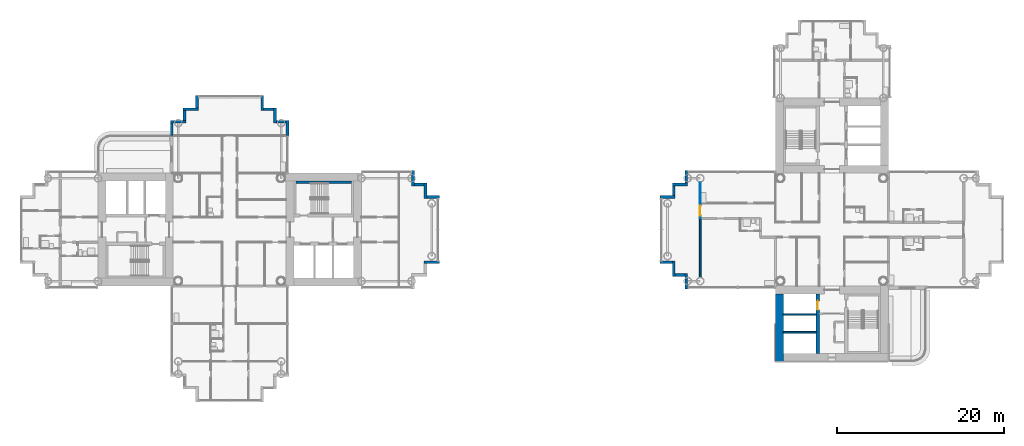
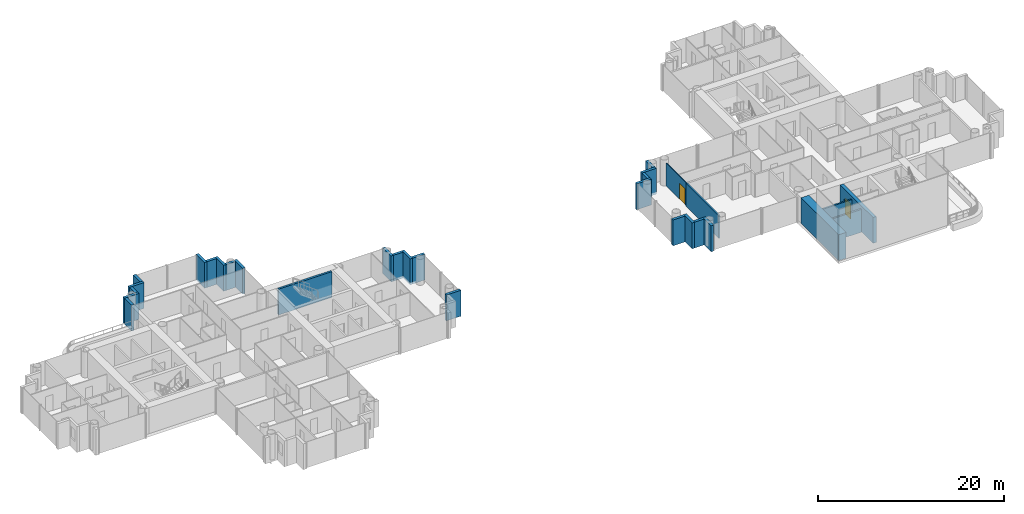
# One storey, part 12 of 22: 30 walls, 2 doors, 2 openings.
"""IFC4 building model written with IfcOpenShell, lengths in metres."""

import ifcopenshell
import ifcopenshell.guid

model = None  # the IFC model being written
_history = None  # IfcOwnerHistory: only IFC2X3 demands one
_inside = {}  # id of a spatial element -> (the spatial element, [elements in it])
_under = {}  # id of a project, library or spatial element -> (it, [spatial elements below it])
_declared = {}  # id of a project -> (the project, [libraries it declares])
_typed = {}  # id of a type object -> (the type object, [elements of that type])
_made_of = {}  # id of a material, layer set ... -> (it, [elements and type objects made of it])


def new_model(schema):
    """Start an empty IFC model of exactly this schema.

    Asked for "IFC4X3", IfcOpenShell would pick the latest addendum, in which some entities
    have other attributes; the version numbers below select the first issue.
    IFC2X3 requires an IfcOwnerHistory on every rooted entity: one is made here for all.
    """
    global model, _history
    if schema == "IFC4X3":
        model = ifcopenshell.file(schema_version=(4, 3, 0, 0))
    else:
        model = ifcopenshell.file(schema=schema)
    _inside.clear()
    _under.clear()
    _declared.clear()
    _typed.clear()
    _made_of.clear()
    _history = None
    if model.schema == "IFC2X3":
        org = make("IfcOrganization", Name="unknown")
        user = make(
            "IfcPersonAndOrganization",
            ThePerson=make("IfcPerson", FamilyName="unknown"),
            TheOrganization=org,
        )
        app = make(
            "IfcApplication",
            ApplicationDeveloper=org,
            Version="unknown",
            ApplicationFullName="unknown",
            ApplicationIdentifier="unknown",
        )
        _history = make(
            "IfcOwnerHistory",
            OwningUser=user,
            OwningApplication=app,
            ChangeAction="ADDED",
            CreationDate=0,
        )
    return model


def make(cls, **values):
    """One entity of the class cls with the attributes given. An attribute that is None is left unset."""
    return model.create_entity(
        cls, **{name: value for name, value in values.items() if value is not None}
    )


def rooted(cls, **values):
    """An entity with a GlobalId (a new one), such as an element, a storey or a relation."""
    return make(cls, GlobalId=ifcopenshell.guid.new(), OwnerHistory=_history, **values)


def si_unit(unit_type, name, prefix=None):
    """IfcSIUnit, for example si_unit("LENGTHUNIT", "METRE", prefix="MILLI")."""
    return make("IfcSIUnit", UnitType=unit_type, Prefix=prefix, Name=name)


def assignment(units):
    """IfcUnitAssignment: the units of a project."""
    return None if units is None else make("IfcUnitAssignment", Units=units)


def point(xyz):
    """IfcCartesianPoint."""
    return None if xyz is None else make("IfcCartesianPoint", Coordinates=xyz)


def direction(xyz):
    """IfcDirection."""
    return None if xyz is None else make("IfcDirection", DirectionRatios=xyz)


def frame(location, z_axis=None, x_axis=None):
    """IfcAxis2Placement3D, a coordinate frame: its origin and axes. An axis left out is left unset."""
    return make(
        "IfcAxis2Placement3D",
        Location=point(location),
        Axis=direction(z_axis),
        RefDirection=direction(x_axis),
    )


def frame_2d(location, x_axis=None):
    """IfcAxis2Placement2D, a coordinate frame in the plane: its origin and x axis."""
    return make(
        "IfcAxis2Placement2D", Location=point(location), RefDirection=direction(x_axis)
    )


def origin():
    """The frame at (0, 0, 0) with its axes left unset."""
    return frame((0.0, 0.0, 0.0))


def place(relative_to, where):
    """IfcLocalPlacement: puts the frame where relative to a parent placement (None: the world)."""
    return make(
        "IfcLocalPlacement", PlacementRelTo=relative_to, RelativePlacement=where
    )


def context(
    kind, dimensions, precision=None, world=None, true_north=None, identifier=None
):
    """IfcGeometricRepresentationContext, for example the 3D "Model" context."""
    return make(
        "IfcGeometricRepresentationContext",
        ContextIdentifier=identifier,
        ContextType=kind,
        CoordinateSpaceDimension=dimensions,
        Precision=precision,
        WorldCoordinateSystem=world,
        TrueNorth=true_north,
    )


def subcontext(parent, identifier, kind, view, scale=None):
    """IfcGeometricRepresentationSubContext, for example "Body" below "Model"."""
    return make(
        "IfcGeometricRepresentationSubContext",
        ContextIdentifier=identifier,
        ContextType=kind,
        ParentContext=parent,
        TargetScale=scale,
        TargetView=view,
    )


def project(units=None, contexts=None):
    """IfcProject with its units and contexts."""
    return rooted(
        "IfcProject",
        Name="project",
        RepresentationContexts=contexts,
        UnitsInContext=assignment(units),
    )


def spatial(cls, under=None, at=None, **own):
    """A site, building, storey or space (cls), placed at a placement, below another one or the project."""
    s = rooted(cls, ObjectPlacement=at, **own)
    if under is not None:
        _under.setdefault(under.id(), (under, []))[1].append(s)
    return s


def profile(cls, at=None, kind="AREA", **sizes):
    """A parametric profile (cls). Its sizes go by their IFC names, for example OverallWidth=200.0."""
    return make(cls, ProfileType=kind, Position=at, **sizes)


def rectangle(**sizes):
    """IfcRectangleProfileDef."""
    return profile("IfcRectangleProfileDef", **sizes)


def extrude(swept, where, along, depth):
    """IfcExtrudedAreaSolid: the profile swept, set in the frame where, extruded along a direction by depth."""
    return make(
        "IfcExtrudedAreaSolid",
        SweptArea=swept,
        Position=where,
        ExtrudedDirection=direction(along),
        Depth=depth,
    )


def shape(context_of_items, identifier, shape_type, items):
    """IfcShapeRepresentation: the items that make up one representation, for example the "Body"."""
    return make(
        "IfcShapeRepresentation",
        ContextOfItems=context_of_items,
        RepresentationIdentifier=identifier,
        RepresentationType=shape_type,
        Items=items,
    )


def material(Name=None, Category=None):
    """IfcMaterial."""
    return make("IfcMaterial", Name=Name, Category=Category)


def layer(
    of_material, thickness, ventilated=None, Name=None, Category=None, Priority=None
):
    """IfcMaterialLayer: one layer of a wall or slab, of a material (None: an air gap)."""
    return make(
        "IfcMaterialLayer",
        Material=of_material,
        LayerThickness=thickness,
        IsVentilated=ventilated,
        Name=Name,
        Category=Category,
        Priority=Priority,
    )


def layer_set(layers, Name=None):
    """IfcMaterialLayerSet."""
    return make("IfcMaterialLayerSet", MaterialLayers=layers, LayerSetName=Name)


def made_of(thing, what):
    """Note that an element or type object is made of a material, layer set ...; save() writes the relation."""
    if what is not None:
        _made_of.setdefault(what.id(), (what, []))[1].append(thing)
    return thing


def type_object(cls, material=None, **own):
    """A type object (cls), such as IfcWallType, which elements share."""
    return made_of(rooted(cls, **own), material)


def element(
    cls,
    number,
    at=None,
    inside=None,
    cuts=None,
    type_object=None,
    material=None,
    context=None,
    identifier="Body",
    shape_type=None,
    held_by="IfcProductDefinitionShape",
    body=None,
    shapes=None,
    **own,
):
    """One element of the class cls, such as IfcWall. Its Tag is "e" and its number.

    at: its placement. inside: the storey or other place that contains it. cuts: it is an
    opening in that element (IfcRelVoidsElement). A single representation is given by context,
    identifier, shape_type and body (its items); several are given by shapes. held_by: the class
    of the entity that holds the representations. save() writes the other relations.
    """
    e = rooted(cls, Tag="e%d" % number, ObjectPlacement=at, **own)
    if body is not None:
        shapes = [shape(context, identifier, shape_type, body)]
    if shapes is not None:
        e.Representation = make(held_by, Representations=shapes)
    if inside is not None:
        _inside.setdefault(inside.id(), (inside, []))[1].append(e)
    if cuts is not None:
        rooted(
            "IfcRelVoidsElement", RelatingBuildingElement=cuts, RelatedOpeningElement=e
        )
    if type_object is not None:
        _typed.setdefault(type_object.id(), (type_object, []))[1].append(e)
    return made_of(e, material)


def fill(opening, filler):
    """IfcRelFillsElement: the door or window that sits in an opening."""
    return rooted(
        "IfcRelFillsElement",
        RelatingOpeningElement=opening,
        RelatedBuildingElement=filler,
    )


def aggregate(whole, parts):
    """IfcRelAggregates: a whole, such as a stair, and the parts it consists of."""
    return rooted("IfcRelAggregates", RelatingObject=whole, RelatedObjects=parts)


def save(model, path):
    """Write the relations noted so far, then the file.

    IfcRelAggregates (storeys below a building ...), IfcRelContainedInSpatialStructure (elements
    in a storey), IfcRelDefinesByType, IfcRelAssociatesMaterial and IfcRelDeclares: one each for
    every whole, place, type object, material and project.
    """
    for whole, parts in _under.values():
        aggregate(whole, parts)
    for where, things in _inside.values():
        rooted(
            "IfcRelContainedInSpatialStructure",
            RelatedElements=things,
            RelatingStructure=where,
        )
    for kind, things in _typed.values():
        rooted("IfcRelDefinesByType", RelatedObjects=things, RelatingType=kind)
    for what, things in _made_of.values():
        rooted("IfcRelAssociatesMaterial", RelatedObjects=things, RelatingMaterial=what)
    for by, libraries in _declared.values():
        rooted("IfcRelDeclares", RelatingContext=by, RelatedDefinitions=libraries)
    model.write(path)


model = new_model("IFC4")

# Units and contexts
model_context = context("Model", 3, precision=1e-05, world=origin(), true_north=direction((0.0, 1.0)))
body_context = subcontext(model_context, "Body", "Model", "MODEL_VIEW")
ifc_project = project(units=[si_unit("LENGTHUNIT", "METRE"), si_unit("AREAUNIT", "SQUARE_METRE"), si_unit("VOLUMEUNIT", "CUBIC_METRE"), si_unit("PLANEANGLEUNIT", "RADIAN"), si_unit("MASSUNIT", "GRAM", prefix="KILO")], contexts=[model_context])

# Site, building, storey
site_placement = place(None, origin())
site = spatial("IfcSite", under=ifc_project, at=site_placement, CompositionType="ELEMENT")
building_placement = place(site_placement, origin())
building = spatial("IfcBuilding", under=site, at=building_placement, Name="Ipe Terrace Towers", CompositionType="ELEMENT")
storey_placement = place(building_placement, frame((0.0, 0.0, 90.199951171875)))
storey = spatial("IfcBuildingStorey", under=building, at=storey_placement, Name="L24", CompositionType="ELEMENT", Elevation=90.199951171875)

# Walls
ifc_material_1 = material(Name="Concrete C40/50 with buff precast cladding", Category="concrete")
ifc_layer_1 = layer(ifc_material_1, 0.320068359375)
ifc_layer_set_1 = layer_set([ifc_layer_1], Name="BUFF CLADDING WALL 320")
wall_type_1 = type_object("IfcWallType", Name="BUFF CLADDING WALL 320", PredefinedType="STANDARD", material=ifc_layer_set_1)
wall_1_placement = place(storey_placement, frame((-12.75, -3.909912109375, -0.300048828125), z_axis=(0.0, 0.0, 1.0), x_axis=(1.0, 0.0, 0.0)))
element("IfcWall", 1, at=wall_1_placement, inside=storey, type_object=wall_type_1, Name="T1-W-L24-24a wall", PredefinedType="STANDARD", context=body_context, shape_type="SweptSolid", body=[
    extrude(rectangle(XDim=1.820068359375, YDim=0.320068359375, at=frame_2d((0.91015625, 0.0))), origin(), (0.0, 0.0, 1.0), 3.400146484375),
])
wall_2_placement = place(storey_placement, frame((-10.929931640625, 3.909912109375, -0.300048828125), z_axis=(0.0, 0.0, 1.0), x_axis=(-1.0, 0.0, 0.0)))
element("IfcWall", 2, at=wall_2_placement, inside=storey, type_object=wall_type_1, Name="T1-W-L24-26a wall", PredefinedType="STANDARD", context=body_context, shape_type="SweptSolid", body=[
    extrude(rectangle(XDim=1.5, YDim=0.320068359375, at=frame_2d((0.75, 0.0))), origin(), (0.0, 0.0, 1.0), 3.400146484375),
])
wall_3_placement = place(storey_placement, frame((-12.590087890625, 3.75, -0.300048828125), z_axis=(0.0, 0.0, 1.0), x_axis=(0.0, 1.0, 0.0)))
element("IfcWall", 3, at=wall_3_placement, inside=storey, type_object=wall_type_1, Name="T1-W-L24-27a wall", PredefinedType="STANDARD", context=body_context, shape_type="SweptSolid", body=[
    extrude(rectangle(XDim=1.820068359375, YDim=0.320068359375, at=frame_2d((0.91015625, 0.0))), origin(), (0.0, 0.0, 1.0), 3.400146484375),
])
wall_4_placement = place(storey_placement, frame((-12.75, 5.409912109375, -0.300048828125), z_axis=(0.0, 0.0, 1.0), x_axis=(-1.0, 0.0, 0.0)))
element("IfcWall", 4, at=wall_4_placement, inside=storey, type_object=wall_type_1, Name="T1-W-L24-28a wall", PredefinedType="STANDARD", context=body_context, shape_type="SweptSolid", body=[
    extrude(rectangle(XDim=1.179931640625, YDim=0.320068359375, at=frame_2d((0.58984375, 0.0))), origin(), (0.0, 0.0, 1.0), 3.400146484375),
])
for number, where, z_axis, x_axis, name in (
    (5, (-14.090087890625, 5.25, -0.300048828125), (0.0, 0.0, 1.0), (0.0, 1.0, 0.0), "T1-W-L24-29a wall"),
    (6, (-29.090087890625, 11.25, -0.300048828125), (0.0, 0.0, 1.0), (0.0, 1.0, 0.0), "T1-W-L24-33a wall"),
):
    element("IfcWall", number, at=place(storey_placement, frame(where, z_axis=z_axis, x_axis=x_axis)), inside=storey, type_object=wall_type_1, Name=name, PredefinedType="STANDARD", context=body_context, shape_type="SweptSolid", body=[
        extrude(rectangle(XDim=1.820068359375, YDim=0.320068359375, at=frame_2d((0.91015625, 0.0))), origin(), (0.0, 0.0, 1.0), 3.400146484375),
    ])
wall_5_placement = place(storey_placement, frame((-29.25, 12.909912109375, -0.300048828125), z_axis=(0.0, 0.0, 1.0), x_axis=(-1.0, 0.0, 0.0)))
element("IfcWall", 7, at=wall_5_placement, inside=storey, type_object=wall_type_1, Name="T1-W-L24-34a wall", PredefinedType="STANDARD", context=body_context, shape_type="SweptSolid", body=[
    extrude(rectangle(XDim=1.179931640625, YDim=0.320068359375, at=frame_2d((0.58984375, 0.0))), origin(), (0.0, 0.0, 1.0), 3.400146484375),
])
wall_6_placement = place(storey_placement, frame((-30.590087890625, 12.75, -0.300048828125), z_axis=(0.0, 0.0, 1.0), x_axis=(0.0, 1.0, 0.0)))
element("IfcWall", 8, at=wall_6_placement, inside=storey, type_object=wall_type_1, Name="T1-W-L24-35a wall", PredefinedType="STANDARD", context=body_context, shape_type="SweptSolid", body=[
    extrude(rectangle(XDim=1.820068359375, YDim=0.320068359375, at=frame_2d((0.91015625, 0.0))), origin(), (0.0, 0.0, 1.0), 3.400146484375),
])
wall_7_placement = place(storey_placement, frame((-30.75, 14.409912109375, -0.300048828125), z_axis=(0.0, 0.0, 1.0), x_axis=(-1.0, 0.0, 0.0)))
element("IfcWall", 9, at=wall_7_placement, inside=storey, type_object=wall_type_1, Name="T1-W-L24-36a wall", PredefinedType="STANDARD", context=body_context, shape_type="SweptSolid", body=[
    extrude(rectangle(XDim=1.179931640625, YDim=0.320068359375, at=frame_2d((0.58984375, 0.0))), origin(), (0.0, 0.0, 1.0), 3.400146484375),
])
wall_8_placement = place(storey_placement, frame((-32.090087890625, 14.25, -0.300048828125), z_axis=(0.0, 0.0, 1.0), x_axis=(0.0, 1.0, 0.0)))
element("IfcWall", 10, at=wall_8_placement, inside=storey, type_object=wall_type_1, Name="T1-W-L24-37a wall", PredefinedType="STANDARD", context=body_context, shape_type="SweptSolid", body=[
    extrude(rectangle(XDim=1.820068359375, YDim=0.320068359375, at=frame_2d((0.91015625, 0.0))), origin(), (0.0, 0.0, 1.0), 3.400146484375),
])
wall_9_placement = place(storey_placement, frame((-39.909912109375, 16.070068359375, -0.300048828125), z_axis=(0.0, 0.0, 1.0), x_axis=(0.0, -1.0, 0.0)))
element("IfcWall", 11, at=wall_9_placement, inside=storey, type_object=wall_type_1, Name="T1-W-L24-39a wall", PredefinedType="STANDARD", context=body_context, shape_type="SweptSolid", body=[
    extrude(rectangle(XDim=1.5, YDim=0.320068359375, at=frame_2d((0.75, 0.0))), origin(), (0.0, 0.0, 1.0), 3.400146484375),
])
wall_10_placement = place(storey_placement, frame((-39.75, 14.409912109375, -0.300048828125), z_axis=(0.0, 0.0, 1.0), x_axis=(-1.0, 0.0, 0.0)))
element("IfcWall", 12, at=wall_10_placement, inside=storey, type_object=wall_type_1, Name="T1-W-L24-40a wall", PredefinedType="STANDARD", context=body_context, shape_type="SweptSolid", body=[
    extrude(rectangle(XDim=1.820068359375, YDim=0.320068359375, at=frame_2d((0.91015625, 0.0))), origin(), (0.0, 0.0, 1.0), 3.400146484375),
])
wall_11_placement = place(storey_placement, frame((-41.409912109375, 14.25, -0.300048828125), z_axis=(0.0, 0.0, 1.0), x_axis=(0.0, -1.0, 0.0)))
element("IfcWall", 13, at=wall_11_placement, inside=storey, type_object=wall_type_1, Name="T1-W-L24-41a wall", PredefinedType="STANDARD", context=body_context, shape_type="SweptSolid", body=[
    extrude(rectangle(XDim=1.179931640625, YDim=0.320068359375, at=frame_2d((0.58984375, 0.0))), origin(), (0.0, 0.0, 1.0), 3.400146484375),
])
wall_12_placement = place(storey_placement, frame((-41.25, 12.909912109375, -0.300048828125), z_axis=(0.0, 0.0, 1.0), x_axis=(-1.0, 0.0, 0.0)))
element("IfcWall", 14, at=wall_12_placement, inside=storey, type_object=wall_type_1, Name="T1-W-L24-42a wall", PredefinedType="STANDARD", context=body_context, shape_type="SweptSolid", body=[
    extrude(rectangle(XDim=1.820068359375, YDim=0.320068359375, at=frame_2d((0.91015625, 0.0))), origin(), (0.0, 0.0, 1.0), 3.400146484375),
])
for number, where, z_axis, x_axis, name in (
    (15, (-42.909912109375, 12.75, -0.300048828125), (0.0, 0.0, 1.0), (0.0, -1.0, 0.0), "T1-W-L24-43a wall"),
    (16, (18.590087890625, 7.070068359375, -0.300048828125), (0.0, 0.0, 1.0), (0.0, -1.0, 0.0), "T2-W-L24-30a wall"),
):
    element("IfcWall", number, at=place(storey_placement, frame(where, z_axis=z_axis, x_axis=x_axis)), inside=storey, type_object=wall_type_1, Name=name, PredefinedType="STANDARD", context=body_context, shape_type="SweptSolid", body=[
        extrude(rectangle(XDim=1.5, YDim=0.320068359375, at=frame_2d((0.75, 0.0))), origin(), (0.0, 0.0, 1.0), 3.400146484375),
    ])
wall_13_placement = place(storey_placement, frame((18.75, 5.409912109375, -0.300048828125), z_axis=(0.0, 0.0, 1.0), x_axis=(-1.0, 0.0, 0.0)))
element("IfcWall", 17, at=wall_13_placement, inside=storey, type_object=wall_type_1, Name="T2-W-L24-31a wall", PredefinedType="STANDARD", context=body_context, shape_type="SweptSolid", body=[
    extrude(rectangle(XDim=1.820068359375, YDim=0.320068359375, at=frame_2d((0.91015625, 0.0))), origin(), (0.0, 0.0, 1.0), 3.400146484375),
])
wall_14_placement = place(storey_placement, frame((17.090087890625, 5.25, -0.300048828125), z_axis=(0.0, 0.0, 1.0), x_axis=(0.0, -1.0, 0.0)))
element("IfcWall", 18, at=wall_14_placement, inside=storey, type_object=wall_type_1, Name="T2-W-L24-32a wall", PredefinedType="STANDARD", context=body_context, shape_type="SweptSolid", body=[
    extrude(rectangle(XDim=1.179931640625, YDim=0.320068359375, at=frame_2d((0.58984375, 0.0))), origin(), (0.0, 0.0, 1.0), 3.400146484375),
])
wall_15_placement = place(storey_placement, frame((17.25, 3.909912109375, -0.300048828125), z_axis=(0.0, 0.0, 1.0), x_axis=(-1.0, 0.0, 0.0)))
element("IfcWall", 19, at=wall_15_placement, inside=storey, type_object=wall_type_1, Name="T2-W-L24-33a wall", PredefinedType="STANDARD", context=body_context, shape_type="SweptSolid", body=[
    extrude(rectangle(XDim=1.820068359375, YDim=0.320068359375, at=frame_2d((0.91015625, 0.0))), origin(), (0.0, 0.0, 1.0), 3.400146484375),
])
wall_16_placement = place(storey_placement, frame((15.429931640625, -3.909912109375, -0.300048828125), z_axis=(0.0, 0.0, 1.0), x_axis=(1.0, 0.0, 0.0)))
element("IfcWall", 20, at=wall_16_placement, inside=storey, type_object=wall_type_1, Name="T2-W-L24-35a wall", PredefinedType="STANDARD", context=body_context, shape_type="SweptSolid", body=[
    extrude(rectangle(XDim=1.5, YDim=0.320068359375, at=frame_2d((0.75, 0.0))), origin(), (0.0, 0.0, 1.0), 3.400146484375),
])
wall_17_placement = place(storey_placement, frame((17.090087890625, -3.75, -0.300048828125), z_axis=(0.0, 0.0, 1.0), x_axis=(0.0, -1.0, 0.0)))
element("IfcWall", 21, at=wall_17_placement, inside=storey, type_object=wall_type_1, Name="T2-W-L24-36a wall", PredefinedType="STANDARD", context=body_context, shape_type="SweptSolid", body=[
    extrude(rectangle(XDim=1.820068359375, YDim=0.320068359375, at=frame_2d((0.91015625, 0.0))), origin(), (0.0, 0.0, 1.0), 3.400146484375),
])
wall_18_placement = place(storey_placement, frame((17.25, -5.409912109375, -0.300048828125), z_axis=(0.0, 0.0, 1.0), x_axis=(1.0, 0.0, 0.0)))
element("IfcWall", 22, at=wall_18_placement, inside=storey, type_object=wall_type_1, Name="T2-W-L24-37a wall", PredefinedType="STANDARD", context=body_context, shape_type="SweptSolid", body=[
    extrude(rectangle(XDim=1.179931640625, YDim=0.320068359375, at=frame_2d((0.58984375, 0.0))), origin(), (0.0, 0.0, 1.0), 3.400146484375),
])
wall_19_placement = place(storey_placement, frame((18.590087890625, -5.25, -0.300048828125), z_axis=(0.0, 0.0, 1.0), x_axis=(0.0, -1.0, 0.0)))
element("IfcWall", 23, at=wall_19_placement, inside=storey, type_object=wall_type_1, Name="T2-W-L24-38a wall", PredefinedType="STANDARD", context=body_context, shape_type="SweptSolid", body=[
    extrude(rectangle(XDim=1.820068359375, YDim=0.320068359375, at=frame_2d((0.91015625, 0.0))), origin(), (0.0, 0.0, 1.0), 3.400146484375),
])

# Wall, opening, door
ifc_material_2 = material(Name="Gypsum board partition", Category="plasterboard")
ifc_layer_2 = layer(ifc_material_2, 0.10009765625)
ifc_layer_set_2 = layer_set([ifc_layer_2], Name="Gypsum board partition 100 mm")
wall_type_2 = type_object("IfcWallType", Name="Gypsum board partition 100 mm", PredefinedType="PARTITIONING", material=ifc_layer_set_2)
wall_20_placement = place(storey_placement, frame((20.25, 1.35009765625, 0.0), z_axis=(0.0, 0.0, 1.0), x_axis=(0.0, 1.0, 0.0)))
wall_20 = element("IfcWall", 24, at=wall_20_placement, inside=storey, type_object=wall_type_2, Name="Gypsum board partition T2 L24 W44", PredefinedType="PARTITIONING", context=body_context, shape_type="SweptSolid", body=[
    extrude(rectangle(XDim=4.349853515625, YDim=0.10009765625, at=frame_2d((2.1748046875, 0.0))), origin(), (0.0, 0.0, 1.0), 3.0),
])
opening_1_placement = place(wall_20_placement, frame((0.300048828125, 0.0, 0.0)))
opening_1 = element("IfcOpeningElement", 25, at=opening_1_placement, cuts=wall_20, Name="Opening T2-Z2C-12", PredefinedType="OPENING", context=body_context, shape_type="SweptSolid", body=[
    extrude(rectangle(XDim=1.199951171875, YDim=2.10009765625, at=frame_2d((0.60009765625, 1.050048828125))), frame((0.0, 0.06005859375, 0.0), z_axis=(0.0, -1.0, 0.0), x_axis=(1.0, 0.0, 0.0)), (0.0, 0.0, 1.0), 0.1201171875),
])
ifc_material_3 = material(Name="Timber door leaf", Category="wood")
door_type_1 = type_object("IfcDoorType", Name="Lounge door 1200 x 2100", OperationType="NOTDEFINED", PredefinedType="DOOR", material=ifc_material_3)
door_1_placement = place(opening_1_placement, origin())
door_1 = element("IfcDoor", 26, at=door_1_placement, inside=storey, type_object=door_type_1, Name="Lounge door T2-Z2C-12", OperationType="SINGLE_SWING_RIGHT", OverallHeight=2.10009765625, OverallWidth=1.199951171875, PredefinedType="DOOR", context=body_context, shape_type="SweptSolid", body=[
    extrude(rectangle(XDim=1.199951171875, YDim=2.10009765625, at=frame_2d((0.60009765625, 1.050048828125))), frame((0.0, 0.02490234375, 0.0), z_axis=(0.0, -1.0, 0.0), x_axis=(1.0, 0.0, 0.0)), (0.0, 0.0, 1.0), 0.050048828125),
])
fill(opening_1, door_1)

# Walls
ifc_material_4 = material(Name="Gypsum board party wall", Category="plasterboard")
ifc_layer_3 = layer(ifc_material_4, 0.199951171875)
ifc_layer_set_3 = layer_set([ifc_layer_3], Name="Gypsum board party wall 200 mm")
wall_type_3 = type_object("IfcWallType", Name="Gypsum board party wall 200 mm", PredefinedType="SOLIDWALL", material=ifc_layer_set_3)
for number, where, z_axis, x_axis, name in (
    (27, (30.199951171875, -10.14990234375, 0.0), (0.0, 0.0, 1.0), (1.0, 0.0, 0.0), "Gypsum board party wall T2 L24 t2c2-shaft-div1"),
    (28, (30.199951171875, -12.25, 0.0), (0.0, 0.0, 1.0), (1.0, 0.0, 0.0), "Gypsum board party wall T2 L24 t2c2-shaft-div2"),
):
    element("IfcWall", number, at=place(storey_placement, frame(where, z_axis=z_axis, x_axis=x_axis)), inside=storey, type_object=wall_type_3, Name=name, PredefinedType="SOLIDWALL", context=body_context, shape_type="SweptSolid", body=[
        extrude(rectangle(XDim=3.900146484375, YDim=0.199951171875, at=frame_2d((1.9501953125, 0.0))), origin(), (0.0, 0.0, 1.0), 3.0),
    ])
wall_21_placement = place(storey_placement, frame((20.25, -5.699951171875, 0.0), z_axis=(0.0, 0.0, 1.0), x_axis=(0.0, 1.0, 0.0)))
element("IfcWall", 29, at=wall_21_placement, inside=storey, type_object=wall_type_3, Name="Gypsum board party wall T2 L24 W45", PredefinedType="SOLIDWALL", context=body_context, shape_type="SweptSolid", body=[
    extrude(rectangle(XDim=7.050048828125, YDim=0.199951171875, at=frame_2d((3.52490234375, 0.0))), origin(), (0.0, 0.0, 1.0), 3.0),
])
ifc_material_5 = material(Name="Concrete C50/60", Category="concrete")
ifc_layer_4 = layer(ifc_material_5, 0.25)
ifc_layer_set_4 = layer_set([ifc_layer_4], Name="RW250 CORE INFILL WALL 250 C50-60")
wall_type_4 = type_object("IfcWallType", Name="RW250 CORE INFILL WALL 250 C50-60", PredefinedType="SHEAR", material=ifc_layer_set_4)
wall_22_placement = place(storey_placement, frame((-28.050048828125, 5.675048828125, 0.0), z_axis=(0.0, 0.0, 1.0), x_axis=(1.0, 0.0, 0.0)))
element("IfcWall", 30, at=wall_22_placement, inside=storey, type_object=wall_type_4, Name="Core infill wall T1-C1-back", PredefinedType="SHEAR", context=body_context, shape_type="SweptSolid", body=[
    extrude(rectangle(XDim=6.60009765625, YDim=0.25, at=frame_2d((3.300048828125, 0.0))), origin(), (0.0, 0.0, 1.0), 3.400146484375),
])

# Wall, opening, door
ifc_material_6 = material(Name="Concrete C50/60", Category="concrete")
ifc_layer_5 = layer(ifc_material_6, 0.39990234375)
ifc_layer_set_5 = layer_set([ifc_layer_5], Name="RW400 CORE SPINE WALL 400 C50-60")
wall_type_5 = type_object("IfcWallType", Name="RW400 CORE SPINE WALL 400 C50-60", PredefinedType="SHEAR", material=ifc_layer_set_5)
wall_23_placement = place(storey_placement, frame((34.300048828125, -14.800048828125, 0.0), z_axis=(0.0, 0.0, 1.0), x_axis=(0.0, 1.0, 0.0)))
wall_23 = element("IfcWall", 31, at=wall_23_placement, inside=storey, type_object=wall_type_5, Name="Core spine wall T2-C2-Z2-SW1", PredefinedType="SHEAR", context=body_context, shape_type="SweptSolid", body=[
    extrude(rectangle(XDim=7.10009765625, YDim=0.39990234375, at=frame_2d((3.550048828125, 0.0))), origin(), (0.0, 0.0, 1.0), 3.400146484375),
])
opening_2_placement = place(wall_23_placement, frame((5.199951171875, 0.0, 0.0)))
opening_2 = element("IfcOpeningElement", 32, at=opening_2_placement, cuts=wall_23, Name="Opening T2C2-LD1", PredefinedType="OPENING", context=body_context, shape_type="SweptSolid", body=[
    extrude(rectangle(XDim=1.10009765625, YDim=2.10009765625, at=frame_2d((0.550048828125, 1.050048828125))), frame((0.0, 0.2099609375, 0.0), z_axis=(0.0, -1.0, 0.0), x_axis=(1.0, 0.0, 0.0)), (0.0, 0.0, 1.0), 0.419921875),
])
ifc_material_7 = material(Name="Fire-rated timber door leaf", Category="wood")
door_type_2 = type_object("IfcDoorType", Name="Sliding door 1100 x 2100 FD60", OperationType="SLIDING_TO_LEFT", PredefinedType="DOOR", material=ifc_material_7)
door_2_placement = place(opening_2_placement, origin())
door_2 = element("IfcDoor", 33, at=door_2_placement, inside=storey, type_object=door_type_2, Name="Sliding door T2C2-LD1", OperationType="SLIDING_TO_LEFT", OverallHeight=2.10009765625, OverallWidth=1.10009765625, PredefinedType="DOOR", context=body_context, shape_type="SweptSolid", body=[
    extrude(rectangle(XDim=1.10009765625, YDim=2.10009765625, at=frame_2d((0.550048828125, 1.050048828125))), frame((0.0, 0.02490234375, 0.0), z_axis=(0.0, -1.0, 0.0), x_axis=(1.0, 0.0, 0.0)), (0.0, 0.0, 1.0), 0.050048828125),
])
fill(opening_2, door_2)

# Wall
ifc_material_8 = material(Name="Concrete C50/60", Category="concrete")
ifc_layer_6 = layer(ifc_material_8, 0.949951171875)
ifc_layer_set_6 = layer_set([ifc_layer_6], Name="RW950 CORE WALL 950 C50-60")
wall_type_6 = type_object("IfcWallType", Name="RW950 CORE WALL 950 C50-60", PredefinedType="SHEAR", material=ifc_layer_set_6)
wall_24_placement = place(storey_placement, frame((29.72509765625, -7.699951171875, 0.0), z_axis=(0.0, 0.0, 1.0), x_axis=(0.0, -1.0, 0.0)))
element("IfcWall", 34, at=wall_24_placement, inside=storey, type_object=wall_type_6, Name="Core wall T2-C2-Z2-W04", PredefinedType="SHEAR", context=body_context, shape_type="SweptSolid", body=[
    extrude(rectangle(XDim=8.050048828125, YDim=0.949951171875, at=frame_2d((4.02490234375, 0.0))), origin(), (0.0, 0.0, 1.0), 3.400146484375),
])

save(model, "model.ifc")
